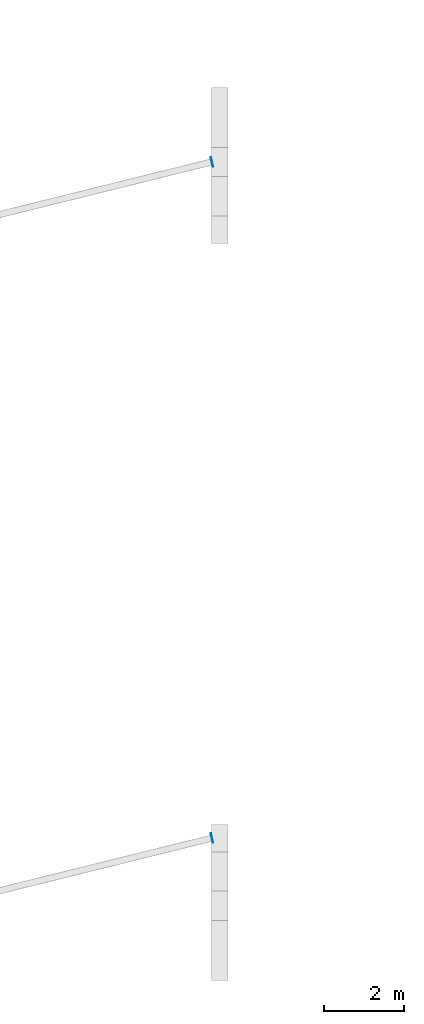
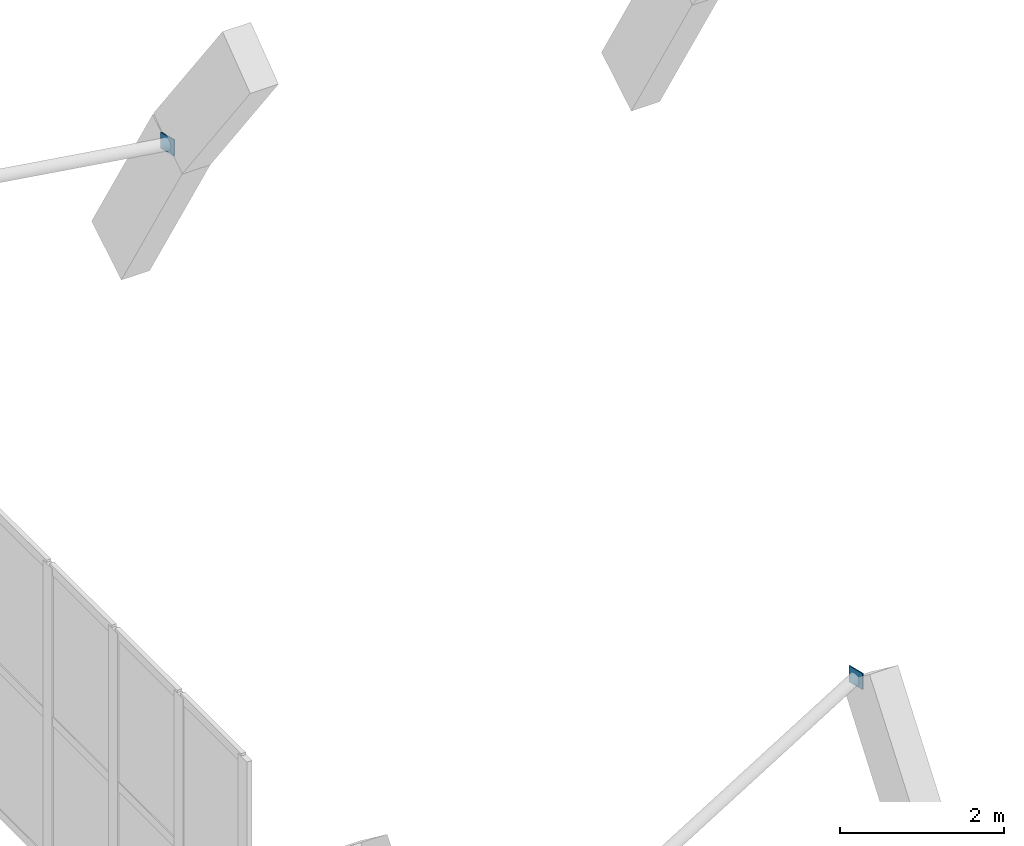
# One storey, part 44 of 85: 2 plates.
"""IFC4 building model written with IfcOpenShell, lengths in metres."""

from ifc_helpers import new_model, si_unit, direction, frame, origin, origin_2d, place, context, subcontext, project, spatial, rectangle, extrude, material, layer, layer_set, type_object, element, save


model = new_model("IFC4")

# Units and contexts
model_context = context("Model", 3, precision=1e-05, world=origin(), true_north=direction((0.0, 1.0)))
body_context = subcontext(model_context, "Body", "Model", "MODEL_VIEW")
ifc_project = project(units=[si_unit("LENGTHUNIT", "METRE"), si_unit("AREAUNIT", "SQUARE_METRE"), si_unit("VOLUMEUNIT", "CUBIC_METRE"), si_unit("PLANEANGLEUNIT", "RADIAN"), si_unit("MASSUNIT", "GRAM", prefix="KILO")], contexts=[model_context])

# Site, building, storey
site_placement = place(None, origin())
site = spatial("IfcSite", under=ifc_project, at=site_placement, CompositionType="ELEMENT")
building_placement = place(site_placement, origin())
building = spatial("IfcBuilding", under=site, at=building_placement, Name="Ochrevale Crest", CompositionType="ELEMENT")
storey_placement = place(building_placement, frame((0.0, 0.0, 4.5)))
storey = spatial("IfcBuildingStorey", under=building, at=storey_placement, Name="L01", CompositionType="ELEMENT", Elevation=4.5)

# Plates
ifc_material = material(Name="Steel S355", Category="steel")
ifc_layer = layer(ifc_material, 0.01611328125)
ifc_layer_set = layer_set([ifc_layer], Name="Steel S355")
plate_type = type_object("IfcPlateType", Name="PLT-CAP-16", PredefinedType="USERDEFINED", material=ifc_layer_set)
for number, where, z_axis, x_axis, name in (
    (1, (64.607421875, 46.427978515625, 4.8955078125), (0.0, 0.0, 1.0), (0.970632567035, 0.240566871809, 0.0), "Community Hall vault CHS lateral brace B1-1 welded end cap plate CE"),
    (2, (64.607421875, 63.260986328125, 2.65185546875), (0.0, 0.0, 1.0), (0.970632567035, 0.240566871809, 0.0), "Community Hall vault CHS lateral brace B1-8 welded end cap plate CE"),
):
    element("IfcPlate", number, at=place(storey_placement, frame(where, z_axis=z_axis, x_axis=x_axis)), inside=storey, type_object=plate_type, Name=name, ObjectType="CAP PLATE", PredefinedType="USERDEFINED", context=body_context, shape_type="SweptSolid", body=[
        extrude(rectangle(XDim=0.01611328125, YDim=0.239990234375, at=origin_2d()), origin(), (0.0, 0.0, 1.0), 0.239990234375),
    ])

save(model, "model.ifc")
